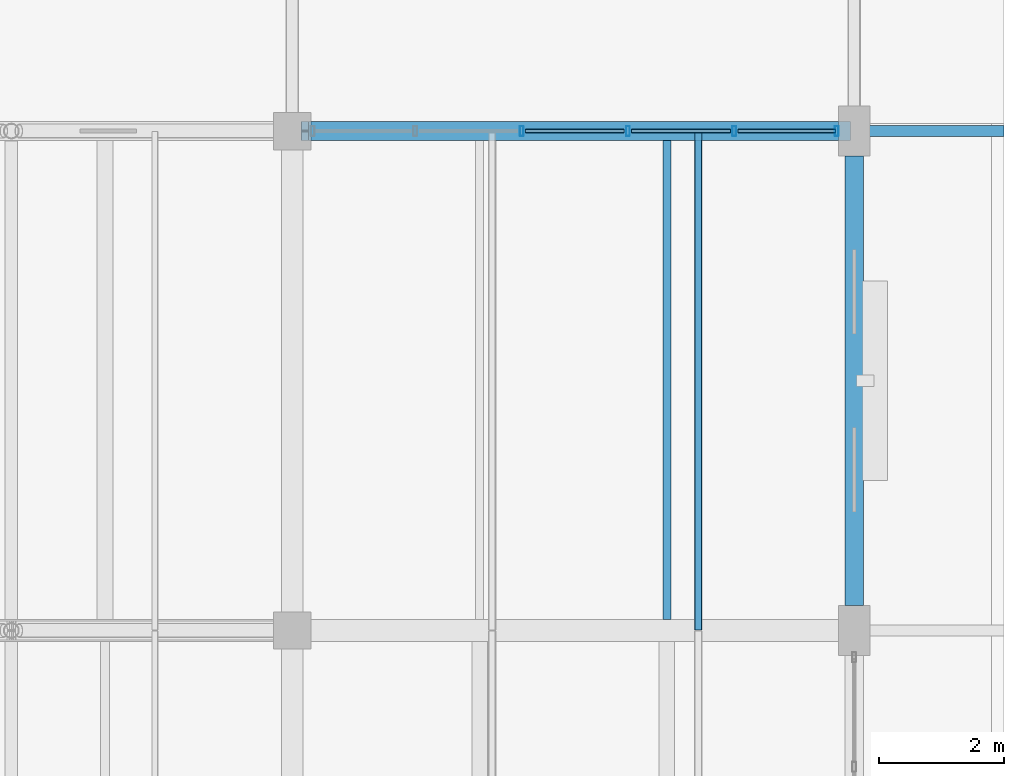
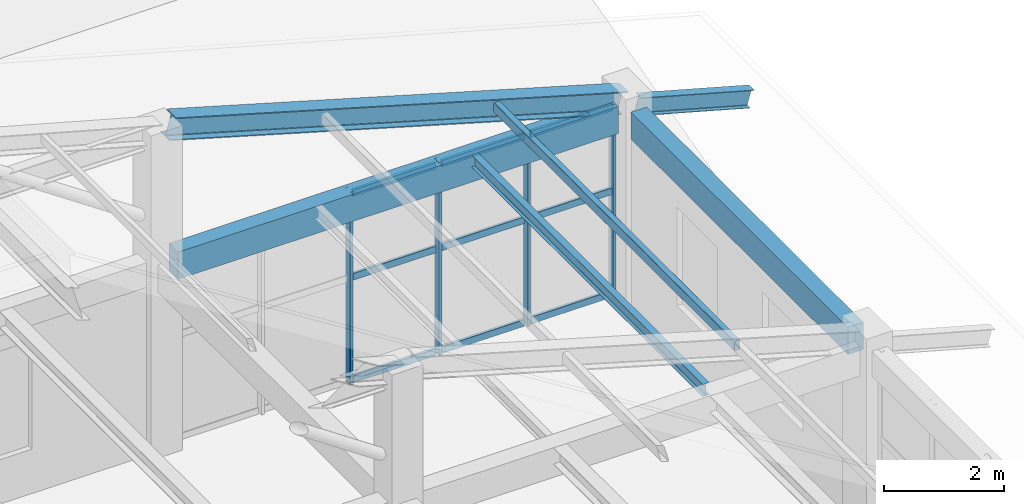
# One storey, part 41 of 58: 14 members, 5 beams, 1 element without a shape of its own.
"""IFC4 building model written with IfcOpenShell, lengths in metres."""

from ifc_helpers import new_model, si_unit, derived_unit, direction, frame, origin, origin_2d, place, context, subcontext, project, spatial, rectangle, hollow_rectangle, i_section, extrude, material, material_profile, profile_set, type_object, element, aggregate, save


model = new_model("IFC4")

# Units and contexts
model_context = context("Model", 3, precision=1e-05, world=origin(), true_north=direction((0.0, 1.0)))
body_context = subcontext(model_context, "Body", "Model", "MODEL_VIEW")
ifc_project = project(units=[si_unit("LENGTHUNIT", "METRE"), si_unit("AREAUNIT", "SQUARE_METRE"), si_unit("VOLUMEUNIT", "CUBIC_METRE"), si_unit("PLANEANGLEUNIT", "RADIAN"), si_unit("MASSUNIT", "GRAM", prefix="KILO"), derived_unit("THERMALTRANSMITTANCEUNIT", [(si_unit("MASSUNIT", "GRAM", prefix="KILO"), 1), (si_unit("TIMEUNIT", "SECOND"), -3), (si_unit("THERMODYNAMICTEMPERATUREUNIT", "KELVIN"), -1)])], contexts=[model_context])

# Site, building, storey
site_placement = place(None, origin())
site = spatial("IfcSite", under=ifc_project, at=site_placement, CompositionType="ELEMENT")
building_placement = place(site_placement, origin())
building = spatial("IfcBuilding", under=site, at=building_placement, Name="Zhenchuan Archway Interchange", CompositionType="ELEMENT")
storey_placement = place(building_placement, frame((0.0, 0.0, 22.800048828125)))
storey = spatial("IfcBuildingStorey", under=building, at=storey_placement, Name="L05", CompositionType="ELEMENT", Elevation=22.800048828125)

# Beams
ifc_material_1 = material(Name="Steel Q355", Category="steel")
ifc_material_profile_1 = material_profile(ifc_material_1, i_section(OverallWidth=0.175048828125, OverallDepth=0.35009765625, WebThickness=0.007080078125, FlangeThickness=0.010986328125, FilletRadius=0.013916015625, at=origin_2d()), Name="HN 350x175")
ifc_profile_set_1 = profile_set([ifc_material_profile_1], Name="Steel Q355")
beam_type_1 = type_object("IfcBeamType", Name="BM_STL_EAVE_HN350", PredefinedType="BEAM", material=ifc_profile_set_1)
beam_1_placement = place(storey_placement, frame((171.179931640625, 88.0, 3.719970703125), z_axis=(0.963829493521, 0.0, -0.266519619201), x_axis=(0.0, 1.0, 0.0)))
element("IfcBeam", 1, at=beam_1_placement, inside=storey, type_object=beam_type_1, Name="Command wing east storm-eave bracket T9", PredefinedType="BEAM", context=body_context, shape_type="SweptSolid", body=[
    extrude(i_section(OverallWidth=0.175048828125, OverallDepth=0.35009765625, WebThickness=0.007080078125, FlangeThickness=0.010986328125, FilletRadius=0.013916015625, at=origin_2d()), origin(), (0.0, 0.0, 1.0), 2.251708984375),
])
ifc_material_profile_2 = material_profile(ifc_material_1, i_section(OverallWidth=0.300048828125, OverallDepth=0.43994140625, WebThickness=0.010986328125, FlangeThickness=0.01806640625, FilletRadius=0.02197265625, at=origin_2d()), Name="HM 440x300")
ifc_profile_set_2 = profile_set([ifc_material_profile_2], Name="Steel Q355")
beam_type_2 = type_object("IfcBeamType", Name="BM_STL_HM440", PredefinedType="BEAM", material=ifc_profile_set_2)
beam_2_placement = place(storey_placement, frame((162.199951171875, 88.0, 6.449951171875), z_axis=(0.960641143949, 0.0, -0.277792355102), x_axis=(0.0, 1.0, 0.0)))
element("IfcBeam", 2, at=beam_2_placement, inside=storey, type_object=beam_type_2, Name="ROOF TRUSS command wing T9 east lower rafter", PredefinedType="BEAM", context=body_context, shape_type="SweptSolid", body=[
    extrude(i_section(OverallWidth=0.300048828125, OverallDepth=0.43994140625, WebThickness=0.010986328125, FlangeThickness=0.01806640625, FilletRadius=0.02197265625, at=origin_2d()), origin(), (0.0, 0.0, 1.0), 9.03564453125),
])

# Curtain wall, members
ifc_material_2 = material(Name="Anodised Aluminium", Category="aluminium")
curtain_wall_type = type_object("IfcCurtainWallType", Name="CW_UNIT_2", PredefinedType="NOTDEFINED", material=ifc_material_2)
curtain_wall_placement = place(storey_placement, origin())
curtain_wall = element("IfcCurtainWall", 3, at=curtain_wall_placement, inside=storey, type_object=curtain_wall_type, Name="Unitised curtain wall CW:L05:205", PredefinedType="NOTDEFINED")
ifc_material_profile_3 = material_profile(ifc_material_2, hollow_rectangle(XDim=0.06005859375, YDim=0.159912109375, WallThickness=0.00390625, InnerFilletRadius=0.00390625, OuterFilletRadius=0.008056640625, at=origin_2d()), Name="ALU 160x60x4")
ifc_profile_set_3 = profile_set([ifc_material_profile_3], Name="Anodised Aluminium")
member_type_1 = type_object("IfcMemberType", Name="CW_MUL_150", PredefinedType="MULLION", material=ifc_profile_set_3)
member_1_placement = place(storey_placement, frame((165.673583984375, 88.0, 0.0), z_axis=(0.0, 0.0, 1.0), x_axis=(1.0, 0.0, 0.0)))
member_1 = element("IfcMember", 4, at=member_1_placement, type_object=member_type_1, Name="CW:L05:205 mullion 2", PredefinedType="MULLION", context=body_context, shape_type="SweptSolid", body=[
    extrude(hollow_rectangle(XDim=0.06005859375, YDim=0.159912109375, WallThickness=0.00390625, InnerFilletRadius=0.00390625, OuterFilletRadius=0.008056640625, at=origin_2d()), origin(), (0.0, 0.0, 1.0), 3.919921875),
])
member_2_placement = place(storey_placement, frame((167.37646484375, 88.0, 0.0), z_axis=(0.0, 0.0, 1.0), x_axis=(1.0, 0.0, 0.0)))
member_2 = element("IfcMember", 5, at=member_2_placement, type_object=member_type_1, Name="CW:L05:205 mullion 3", PredefinedType="MULLION", context=body_context, shape_type="SweptSolid", body=[
    extrude(hollow_rectangle(XDim=0.06005859375, YDim=0.159912109375, WallThickness=0.00390625, InnerFilletRadius=0.00390625, OuterFilletRadius=0.008056640625, at=origin_2d()), origin(), (0.0, 0.0, 1.0), 3.919921875),
])
member_3_placement = place(storey_placement, frame((169.0791015625, 88.0, 0.0), z_axis=(0.0, 0.0, 1.0), x_axis=(1.0, 0.0, 0.0)))
member_3 = element("IfcMember", 6, at=member_3_placement, type_object=member_type_1, Name="CW:L05:205 mullion 4", PredefinedType="MULLION", context=body_context, shape_type="SweptSolid", body=[
    extrude(hollow_rectangle(XDim=0.06005859375, YDim=0.159912109375, WallThickness=0.00390625, InnerFilletRadius=0.00390625, OuterFilletRadius=0.008056640625, at=origin_2d()), origin(), (0.0, 0.0, 1.0), 3.919921875),
])
member_4_placement = place(storey_placement, frame((170.721923828125, 88.0, 0.0), z_axis=(0.0, 0.0, 1.0), x_axis=(1.0, 0.0, 0.0)))
member_4 = element("IfcMember", 7, at=member_4_placement, type_object=member_type_1, Name="CW:L05:205 mullion 5", PredefinedType="MULLION", context=body_context, shape_type="SweptSolid", body=[
    extrude(hollow_rectangle(XDim=0.06005859375, YDim=0.159912109375, WallThickness=0.00390625, InnerFilletRadius=0.00390625, OuterFilletRadius=0.008056640625, at=origin_2d()), origin(), (0.0, 0.0, 1.0), 3.919921875),
])
ifc_material_profile_4 = material_profile(ifc_material_2, hollow_rectangle(XDim=0.06005859375, YDim=0.139892578125, WallThickness=0.00341796875, InnerFilletRadius=0.00341796875, OuterFilletRadius=0.007080078125, at=origin_2d()), Name="ALU 140x60x3.5")
ifc_profile_set_4 = profile_set([ifc_material_profile_4], Name="Anodised Aluminium")
member_type_2 = type_object("IfcMemberType", Name="CW_TRN_140", PredefinedType="USERDEFINED", material=ifc_profile_set_4)
member_5_placement = place(storey_placement, frame((165.733642578125, 88.0, 0.06005859375), z_axis=(1.0, 0.0, 0.0), x_axis=(0.0, 1.0, 0.0)))
member_5 = element("IfcMember", 8, at=member_5_placement, type_object=member_type_2, Name="CW:L05:205 transom 2-1", ObjectType="TRANSOM", PredefinedType="USERDEFINED", context=body_context, shape_type="SweptSolid", body=[
    extrude(hollow_rectangle(XDim=0.06005859375, YDim=0.139892578125, WallThickness=0.00341796875, InnerFilletRadius=0.00341796875, OuterFilletRadius=0.007080078125, at=origin_2d()), origin(), (0.0, 0.0, 1.0), 1.582763671875),
])
member_6_placement = place(storey_placement, frame((165.733642578125, 88.0, 2.14501953125), z_axis=(1.0, 0.0, 0.0), x_axis=(0.0, 1.0, 0.0)))
member_6 = element("IfcMember", 9, at=member_6_placement, type_object=member_type_2, Name="CW:L05:205 transom 2-2", ObjectType="TRANSOM", PredefinedType="USERDEFINED", context=body_context, shape_type="SweptSolid", body=[
    extrude(hollow_rectangle(XDim=0.06005859375, YDim=0.139892578125, WallThickness=0.00341796875, InnerFilletRadius=0.00341796875, OuterFilletRadius=0.007080078125, at=origin_2d()), origin(), (0.0, 0.0, 1.0), 1.582763671875),
])
member_7_placement = place(storey_placement, frame((165.733642578125, 88.0, 3.83984375), z_axis=(1.0, 0.0, 0.0), x_axis=(0.0, 1.0, 0.0)))
member_7 = element("IfcMember", 10, at=member_7_placement, type_object=member_type_2, Name="CW:L05:205 transom 2-3", ObjectType="TRANSOM", PredefinedType="USERDEFINED", context=body_context, shape_type="SweptSolid", body=[
    extrude(hollow_rectangle(XDim=0.06005859375, YDim=0.139892578125, WallThickness=0.00341796875, InnerFilletRadius=0.00341796875, OuterFilletRadius=0.007080078125, at=origin_2d()), origin(), (0.0, 0.0, 1.0), 1.582763671875),
])
member_8_placement = place(storey_placement, frame((167.436279296875, 88.0, 0.06005859375), z_axis=(1.0, 0.0, 0.0), x_axis=(0.0, 1.0, 0.0)))
member_8 = element("IfcMember", 11, at=member_8_placement, type_object=member_type_2, Name="CW:L05:205 transom 3-1", ObjectType="TRANSOM", PredefinedType="USERDEFINED", context=body_context, shape_type="SweptSolid", body=[
    extrude(hollow_rectangle(XDim=0.06005859375, YDim=0.139892578125, WallThickness=0.00341796875, InnerFilletRadius=0.00341796875, OuterFilletRadius=0.007080078125, at=origin_2d()), origin(), (0.0, 0.0, 1.0), 1.5830078125),
])
member_9_placement = place(storey_placement, frame((167.436279296875, 88.0, 2.14501953125), z_axis=(1.0, 0.0, 0.0), x_axis=(0.0, 1.0, 0.0)))
member_9 = element("IfcMember", 12, at=member_9_placement, type_object=member_type_2, Name="CW:L05:205 transom 3-2", ObjectType="TRANSOM", PredefinedType="USERDEFINED", context=body_context, shape_type="SweptSolid", body=[
    extrude(hollow_rectangle(XDim=0.06005859375, YDim=0.139892578125, WallThickness=0.00341796875, InnerFilletRadius=0.00341796875, OuterFilletRadius=0.007080078125, at=origin_2d()), origin(), (0.0, 0.0, 1.0), 1.5830078125),
])
member_10_placement = place(storey_placement, frame((167.436279296875, 88.0, 3.83984375), z_axis=(1.0, 0.0, 0.0), x_axis=(0.0, 1.0, 0.0)))
member_10 = element("IfcMember", 13, at=member_10_placement, type_object=member_type_2, Name="CW:L05:205 transom 3-3", ObjectType="TRANSOM", PredefinedType="USERDEFINED", context=body_context, shape_type="SweptSolid", body=[
    extrude(hollow_rectangle(XDim=0.06005859375, YDim=0.139892578125, WallThickness=0.00341796875, InnerFilletRadius=0.00341796875, OuterFilletRadius=0.007080078125, at=origin_2d()), origin(), (0.0, 0.0, 1.0), 1.5830078125),
])
member_11_placement = place(storey_placement, frame((169.13916015625, 88.0, 0.06005859375), z_axis=(1.0, 0.0, 0.0), x_axis=(0.0, 1.0, 0.0)))
member_11 = element("IfcMember", 14, at=member_11_placement, type_object=member_type_2, Name="CW:L05:205 transom 4-1", ObjectType="TRANSOM", PredefinedType="USERDEFINED", context=body_context, shape_type="SweptSolid", body=[
    extrude(hollow_rectangle(XDim=0.06005859375, YDim=0.139892578125, WallThickness=0.00341796875, InnerFilletRadius=0.00341796875, OuterFilletRadius=0.007080078125, at=origin_2d()), origin(), (0.0, 0.0, 1.0), 1.562744140625),
])
member_12_placement = place(storey_placement, frame((169.13916015625, 88.0, 2.14501953125), z_axis=(1.0, 0.0, 0.0), x_axis=(0.0, 1.0, 0.0)))
member_12 = element("IfcMember", 15, at=member_12_placement, type_object=member_type_2, Name="CW:L05:205 transom 4-2", ObjectType="TRANSOM", PredefinedType="USERDEFINED", context=body_context, shape_type="SweptSolid", body=[
    extrude(hollow_rectangle(XDim=0.06005859375, YDim=0.139892578125, WallThickness=0.00341796875, InnerFilletRadius=0.00341796875, OuterFilletRadius=0.007080078125, at=origin_2d()), origin(), (0.0, 0.0, 1.0), 1.562744140625),
])
member_13_placement = place(storey_placement, frame((169.13916015625, 88.0, 3.83984375), z_axis=(1.0, 0.0, 0.0), x_axis=(0.0, 1.0, 0.0)))
member_13 = element("IfcMember", 16, at=member_13_placement, type_object=member_type_2, Name="CW:L05:205 transom 4-3", ObjectType="TRANSOM", PredefinedType="USERDEFINED", context=body_context, shape_type="SweptSolid", body=[
    extrude(hollow_rectangle(XDim=0.06005859375, YDim=0.139892578125, WallThickness=0.00341796875, InnerFilletRadius=0.00341796875, OuterFilletRadius=0.007080078125, at=origin_2d()), origin(), (0.0, 0.0, 1.0), 1.562744140625),
])
aggregate(curtain_wall, [member_1, member_2, member_3, member_4, member_5, member_6, member_7, member_8, member_9, member_10, member_11, member_12, member_13])

# Beam
ifc_material_profile_5 = material_profile(ifc_material_1, i_section(OverallWidth=0.125, OverallDepth=0.25, WebThickness=0.006103515625, FlangeThickness=0.009033203125, FilletRadius=0.011962890625, at=origin_2d()), Name="HN 250x125")
ifc_profile_set_5 = profile_set([ifc_material_profile_5], Name="Steel Q355")
beam_type_3 = type_object("IfcBeamType", Name="JST_STL_HN250", PredefinedType="JOIST", material=ifc_profile_set_5)
beam_3_placement = place(storey_placement, frame((168.0, 80.175048828125, 3.794921875), z_axis=(0.0, 1.0, 0.0), x_axis=(-1.0, 0.0, 0.0)))
element("IfcBeam", 17, at=beam_3_placement, inside=storey, type_object=beam_type_3, Name="Secondary joist 19-20/L-M #2 (L05)", PredefinedType="JOIST", context=body_context, shape_type="SweptSolid", body=[
    extrude(i_section(OverallWidth=0.125, OverallDepth=0.25, WebThickness=0.006103515625, FlangeThickness=0.009033203125, FilletRadius=0.011962890625, at=origin_2d()), origin(), (0.0, 0.0, 1.0), 7.675048828125),
])

# Member
ifc_material_profile_6 = material_profile(ifc_material_1, hollow_rectangle(XDim=0.1201171875, YDim=0.199951171875, WallThickness=0.008056640625, InnerFilletRadius=0.008056640625, OuterFilletRadius=0.01611328125, at=origin_2d()), Name="RHS 200x120x8")
ifc_profile_set_6 = profile_set([ifc_material_profile_6], Name="Steel Q355")
member_type_3 = type_object("IfcMemberType", Name="MB_RHS200", PredefinedType="PURLIN", material=ifc_profile_set_6)
member_14_placement = place(storey_placement, frame((168.5, 80.008056640625, 4.619873046875), z_axis=(0.0, 1.0, 0.0), x_axis=(-1.0, 0.0, 0.0)))
element("IfcMember", 18, at=member_14_placement, inside=storey, type_object=member_type_3, Name="Command wing roof purlin B8-P6", PredefinedType="PURLIN", context=body_context, shape_type="SweptSolid", body=[
    extrude(hollow_rectangle(XDim=0.1201171875, YDim=0.199951171875, WallThickness=0.008056640625, InnerFilletRadius=0.008056640625, OuterFilletRadius=0.01611328125, at=origin_2d()), origin(), (0.0, 0.0, 1.0), 7.98388671875),
])

# Beams
ifc_material_3 = material(Name="Concrete C40", Category="concrete")
ifc_material_profile_7 = material_profile(ifc_material_3, rectangle(XDim=0.300048828125, YDim=0.550048828125, at=origin_2d()), Name="RC 300x550")
ifc_profile_set_7 = profile_set([ifc_material_profile_7], Name="Concrete C40")
beam_type_4 = type_object("IfcBeamType", Name="SP_RC_300x550", PredefinedType="SPANDREL", material=ifc_profile_set_7)
beam_4_placement = place(storey_placement, frame((162.300048828125, 88.0, 3.64501953125), z_axis=(1.0, 0.0, 0.0), x_axis=(0.0, 1.0, 0.0)))
element("IfcBeam", 19, at=beam_4_placement, inside=storey, type_object=beam_type_4, Name="Beam M:19-20 (L05)", PredefinedType="SPANDREL", context=body_context, shape_type="SweptSolid", body=[
    extrude(rectangle(XDim=0.300048828125, YDim=0.550048828125, at=origin_2d()), origin(), (0.0, 0.0, 1.0), 8.449951171875),
])
beam_5_placement = place(storey_placement, frame((171.0, 80.39990234375, 3.64501953125), z_axis=(0.0, 1.0, 0.0), x_axis=(-1.0, 0.0, 0.0)))
element("IfcBeam", 20, at=beam_5_placement, inside=storey, type_object=beam_type_4, Name="Beam 20:L-M (L05)", PredefinedType="SPANDREL", context=body_context, shape_type="SweptSolid", body=[
    extrude(rectangle(XDim=0.300048828125, YDim=0.550048828125, at=origin_2d()), origin(), (0.0, 0.0, 1.0), 7.2001953125),
])

save(model, "model.ifc")
